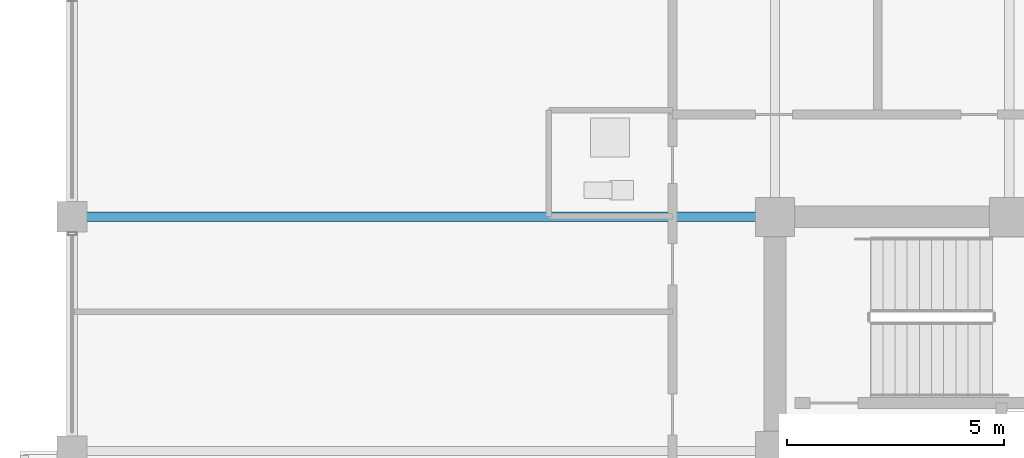
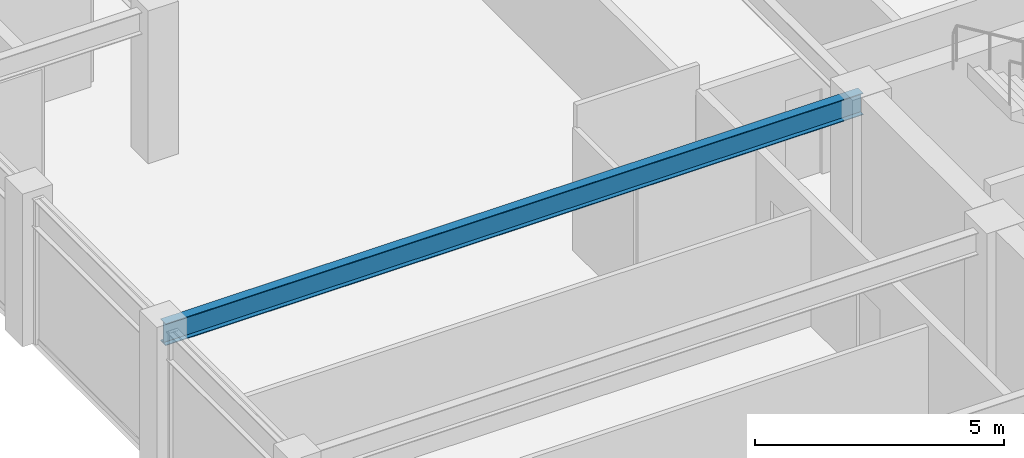
# One storey, part 15 of 30: 1 beam.
"""IFC4 building model written with IfcOpenShell, lengths in metres."""

import ifcopenshell
import ifcopenshell.guid

model = None  # the IFC model being written
_history = None  # IfcOwnerHistory: only IFC2X3 demands one
_inside = {}  # id of a spatial element -> (the spatial element, [elements in it])
_under = {}  # id of a project, library or spatial element -> (it, [spatial elements below it])
_declared = {}  # id of a project -> (the project, [libraries it declares])
_typed = {}  # id of a type object -> (the type object, [elements of that type])
_made_of = {}  # id of a material, layer set ... -> (it, [elements and type objects made of it])


def new_model(schema):
    """Start an empty IFC model of exactly this schema.

    Asked for "IFC4X3", IfcOpenShell would pick the latest addendum, in which some entities
    have other attributes; the version numbers below select the first issue.
    IFC2X3 requires an IfcOwnerHistory on every rooted entity: one is made here for all.
    """
    global model, _history
    if schema == "IFC4X3":
        model = ifcopenshell.file(schema_version=(4, 3, 0, 0))
    else:
        model = ifcopenshell.file(schema=schema)
    _inside.clear()
    _under.clear()
    _declared.clear()
    _typed.clear()
    _made_of.clear()
    _history = None
    if model.schema == "IFC2X3":
        org = make("IfcOrganization", Name="unknown")
        user = make(
            "IfcPersonAndOrganization",
            ThePerson=make("IfcPerson", FamilyName="unknown"),
            TheOrganization=org,
        )
        app = make(
            "IfcApplication",
            ApplicationDeveloper=org,
            Version="unknown",
            ApplicationFullName="unknown",
            ApplicationIdentifier="unknown",
        )
        _history = make(
            "IfcOwnerHistory",
            OwningUser=user,
            OwningApplication=app,
            ChangeAction="ADDED",
            CreationDate=0,
        )
    return model


def make(cls, **values):
    """One entity of the class cls with the attributes given. An attribute that is None is left unset."""
    return model.create_entity(
        cls, **{name: value for name, value in values.items() if value is not None}
    )


def rooted(cls, **values):
    """An entity with a GlobalId (a new one), such as an element, a storey or a relation."""
    return make(cls, GlobalId=ifcopenshell.guid.new(), OwnerHistory=_history, **values)


def si_unit(unit_type, name, prefix=None):
    """IfcSIUnit, for example si_unit("LENGTHUNIT", "METRE", prefix="MILLI")."""
    return make("IfcSIUnit", UnitType=unit_type, Prefix=prefix, Name=name)


def assignment(units):
    """IfcUnitAssignment: the units of a project."""
    return None if units is None else make("IfcUnitAssignment", Units=units)


def point(xyz):
    """IfcCartesianPoint."""
    return None if xyz is None else make("IfcCartesianPoint", Coordinates=xyz)


def direction(xyz):
    """IfcDirection."""
    return None if xyz is None else make("IfcDirection", DirectionRatios=xyz)


def frame(location, z_axis=None, x_axis=None):
    """IfcAxis2Placement3D, a coordinate frame: its origin and axes. An axis left out is left unset."""
    return make(
        "IfcAxis2Placement3D",
        Location=point(location),
        Axis=direction(z_axis),
        RefDirection=direction(x_axis),
    )


def frame_2d(location, x_axis=None):
    """IfcAxis2Placement2D, a coordinate frame in the plane: its origin and x axis."""
    return make(
        "IfcAxis2Placement2D", Location=point(location), RefDirection=direction(x_axis)
    )


def origin():
    """The frame at (0, 0, 0) with its axes left unset."""
    return frame((0.0, 0.0, 0.0))


def origin_2d():
    """The frame at (0, 0) in the plane with its x axis left unset."""
    return frame_2d((0.0, 0.0))


def place(relative_to, where):
    """IfcLocalPlacement: puts the frame where relative to a parent placement (None: the world)."""
    return make(
        "IfcLocalPlacement", PlacementRelTo=relative_to, RelativePlacement=where
    )


def context(
    kind, dimensions, precision=None, world=None, true_north=None, identifier=None
):
    """IfcGeometricRepresentationContext, for example the 3D "Model" context."""
    return make(
        "IfcGeometricRepresentationContext",
        ContextIdentifier=identifier,
        ContextType=kind,
        CoordinateSpaceDimension=dimensions,
        Precision=precision,
        WorldCoordinateSystem=world,
        TrueNorth=true_north,
    )


def subcontext(parent, identifier, kind, view, scale=None):
    """IfcGeometricRepresentationSubContext, for example "Body" below "Model"."""
    return make(
        "IfcGeometricRepresentationSubContext",
        ContextIdentifier=identifier,
        ContextType=kind,
        ParentContext=parent,
        TargetScale=scale,
        TargetView=view,
    )


def project(units=None, contexts=None):
    """IfcProject with its units and contexts."""
    return rooted(
        "IfcProject",
        Name="project",
        RepresentationContexts=contexts,
        UnitsInContext=assignment(units),
    )


def spatial(cls, under=None, at=None, **own):
    """A site, building, storey or space (cls), placed at a placement, below another one or the project."""
    s = rooted(cls, ObjectPlacement=at, **own)
    if under is not None:
        _under.setdefault(under.id(), (under, []))[1].append(s)
    return s


def profile(cls, at=None, kind="AREA", **sizes):
    """A parametric profile (cls). Its sizes go by their IFC names, for example OverallWidth=200.0."""
    return make(cls, ProfileType=kind, Position=at, **sizes)


def i_section(**sizes):
    """IfcIShapeProfileDef."""
    return profile("IfcIShapeProfileDef", **sizes)


def extrude(swept, where, along, depth):
    """IfcExtrudedAreaSolid: the profile swept, set in the frame where, extruded along a direction by depth."""
    return make(
        "IfcExtrudedAreaSolid",
        SweptArea=swept,
        Position=where,
        ExtrudedDirection=direction(along),
        Depth=depth,
    )


def shape(context_of_items, identifier, shape_type, items):
    """IfcShapeRepresentation: the items that make up one representation, for example the "Body"."""
    return make(
        "IfcShapeRepresentation",
        ContextOfItems=context_of_items,
        RepresentationIdentifier=identifier,
        RepresentationType=shape_type,
        Items=items,
    )


def material(Name=None, Category=None):
    """IfcMaterial."""
    return make("IfcMaterial", Name=Name, Category=Category)


def material_profile(
    of_material, cross_section, Name=None, Category=None, Priority=None
):
    """IfcMaterialProfile: a cross section and its material."""
    return make(
        "IfcMaterialProfile",
        Name=Name,
        Material=of_material,
        Profile=cross_section,
        Priority=Priority,
        Category=Category,
    )


def profile_set(profiles, Name=None, composite=None):
    """IfcMaterialProfileSet."""
    return make(
        "IfcMaterialProfileSet",
        Name=Name,
        MaterialProfiles=profiles,
        CompositeProfile=composite,
    )


def made_of(thing, what):
    """Note that an element or type object is made of a material, layer set ...; save() writes the relation."""
    if what is not None:
        _made_of.setdefault(what.id(), (what, []))[1].append(thing)
    return thing


def type_object(cls, material=None, **own):
    """A type object (cls), such as IfcWallType, which elements share."""
    return made_of(rooted(cls, **own), material)


def element(
    cls,
    number,
    at=None,
    inside=None,
    cuts=None,
    type_object=None,
    material=None,
    context=None,
    identifier="Body",
    shape_type=None,
    held_by="IfcProductDefinitionShape",
    body=None,
    shapes=None,
    **own,
):
    """One element of the class cls, such as IfcWall. Its Tag is "e" and its number.

    at: its placement. inside: the storey or other place that contains it. cuts: it is an
    opening in that element (IfcRelVoidsElement). A single representation is given by context,
    identifier, shape_type and body (its items); several are given by shapes. held_by: the class
    of the entity that holds the representations. save() writes the other relations.
    """
    e = rooted(cls, Tag="e%d" % number, ObjectPlacement=at, **own)
    if body is not None:
        shapes = [shape(context, identifier, shape_type, body)]
    if shapes is not None:
        e.Representation = make(held_by, Representations=shapes)
    if inside is not None:
        _inside.setdefault(inside.id(), (inside, []))[1].append(e)
    if cuts is not None:
        rooted(
            "IfcRelVoidsElement", RelatingBuildingElement=cuts, RelatedOpeningElement=e
        )
    if type_object is not None:
        _typed.setdefault(type_object.id(), (type_object, []))[1].append(e)
    return made_of(e, material)


def aggregate(whole, parts):
    """IfcRelAggregates: a whole, such as a stair, and the parts it consists of."""
    return rooted("IfcRelAggregates", RelatingObject=whole, RelatedObjects=parts)


def save(model, path):
    """Write the relations noted so far, then the file.

    IfcRelAggregates (storeys below a building ...), IfcRelContainedInSpatialStructure (elements
    in a storey), IfcRelDefinesByType, IfcRelAssociatesMaterial and IfcRelDeclares: one each for
    every whole, place, type object, material and project.
    """
    for whole, parts in _under.values():
        aggregate(whole, parts)
    for where, things in _inside.values():
        rooted(
            "IfcRelContainedInSpatialStructure",
            RelatedElements=things,
            RelatingStructure=where,
        )
    for kind, things in _typed.values():
        rooted("IfcRelDefinesByType", RelatedObjects=things, RelatingType=kind)
    for what, things in _made_of.values():
        rooted("IfcRelAssociatesMaterial", RelatedObjects=things, RelatingMaterial=what)
    for by, libraries in _declared.values():
        rooted("IfcRelDeclares", RelatingContext=by, RelatedDefinitions=libraries)
    model.write(path)


model = new_model("IFC4")

# Units and contexts
model_context = context("Model", 3, precision=1e-05, world=origin(), true_north=direction((0.0, 1.0)))
body_context = subcontext(model_context, "Body", "Model", "MODEL_VIEW")
ifc_project = project(units=[si_unit("LENGTHUNIT", "METRE"), si_unit("AREAUNIT", "SQUARE_METRE"), si_unit("VOLUMEUNIT", "CUBIC_METRE"), si_unit("PLANEANGLEUNIT", "RADIAN"), si_unit("MASSUNIT", "GRAM", prefix="KILO")], contexts=[model_context])

# Site, building, storey
site_placement = place(None, origin())
site = spatial("IfcSite", under=ifc_project, at=site_placement, CompositionType="ELEMENT")
building_placement = place(site_placement, origin())
building = spatial("IfcBuilding", under=site, at=building_placement, Name="Surkhivell Harbour Commons", CompositionType="ELEMENT")
storey_placement = place(building_placement, frame((0.0, 0.0, 281.25)))
storey = spatial("IfcBuildingStorey", under=building, at=storey_placement, Name="L73", CompositionType="ELEMENT", Elevation=281.25)

# Beam
ifc_material = material(Name="Steel S355", Category="steel")
ifc_material_profile = material_profile(ifc_material, i_section(OverallWidth=0.2099609375, OverallDepth=0.537109375, WebThickness=0.0107421875, FlangeThickness=0.017333984375, at=origin_2d()), Name="UB533x210x101")
ifc_profile_set = profile_set([ifc_material_profile], Name="Steel S355")
beam_type = type_object("IfcBeamType", Name="BM-GRD-533B", PredefinedType="BEAM", material=ifc_profile_set)
beam_placement = place(storey_placement, frame((-27.0, 10.800048828125, 3.301513671875), z_axis=(1.0, 0.0, 0.0), x_axis=(0.0, 1.0, 0.0)))
element("IfcBeam", 1, at=beam_placement, inside=storey, type_object=beam_type, Name="L73 Floor Girder (-27.0,10.8)", PredefinedType="BEAM", context=body_context, shape_type="SweptSolid", body=[
    extrude(i_section(OverallWidth=0.2099609375, OverallDepth=0.537109375, WebThickness=0.0107421875, FlangeThickness=0.017333984375, at=origin_2d()), origin(), (0.0, 0.0, 1.0), 16.199951171875),
])

save(model, "model.ifc")
